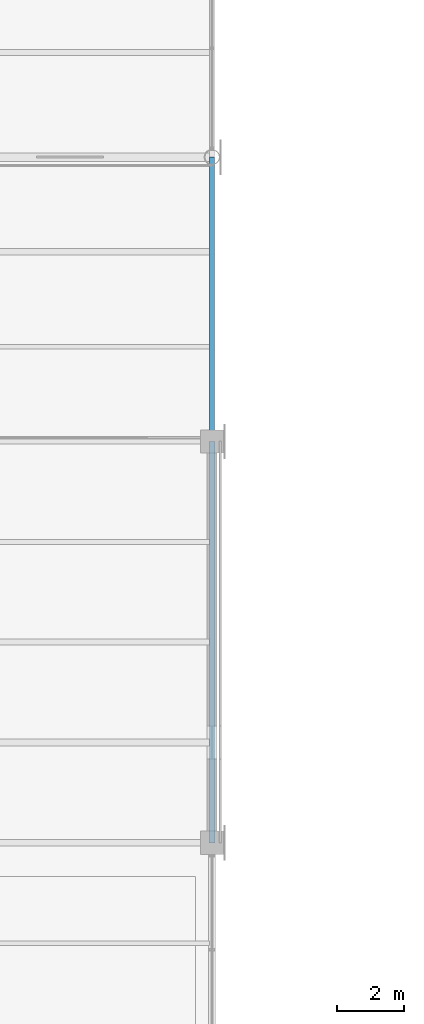
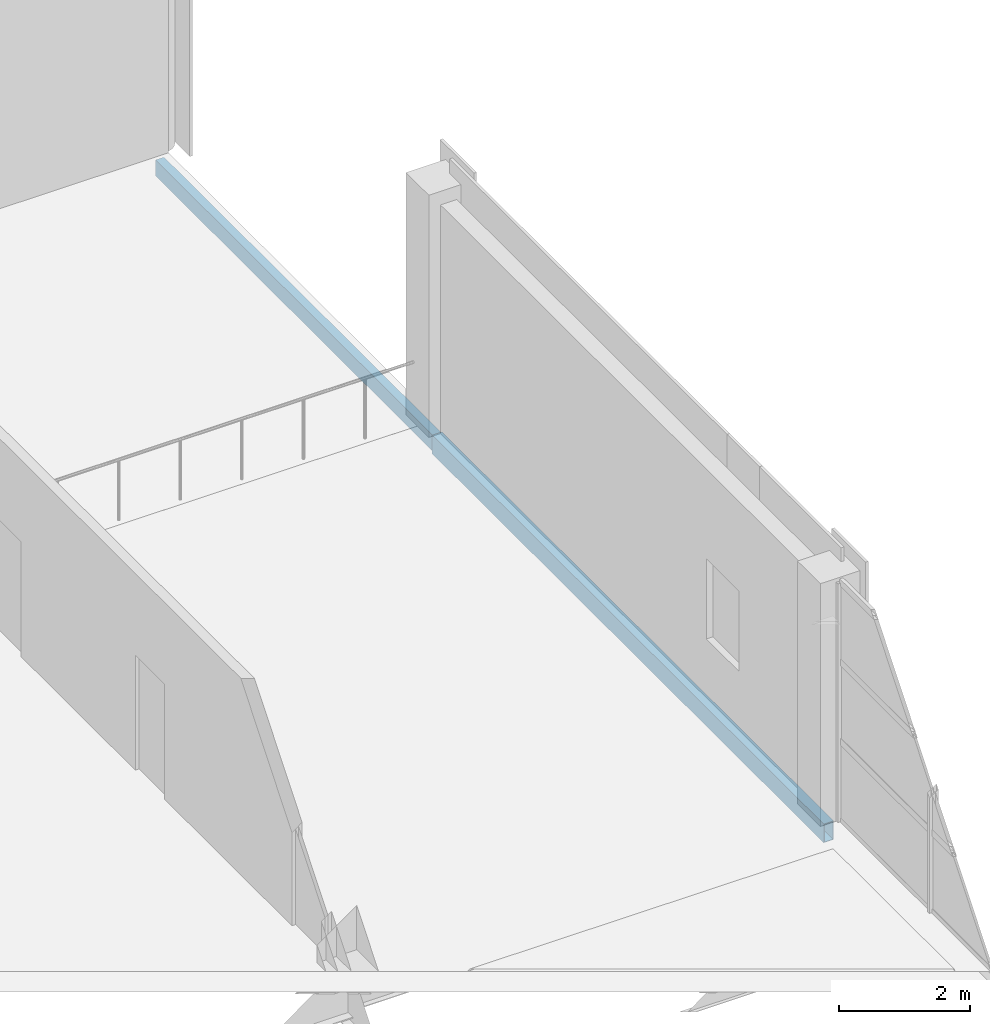
# One storey, part 37 of 101: 2 beams.
"""IFC4 building model written with IfcOpenShell, lengths in metres."""

from ifc_helpers import new_model, si_unit, direction, frame, origin, origin_2d, place, context, subcontext, project, spatial, hollow_rectangle, extrude, material, material_profile, profile_set, type_object, element, save


model = new_model("IFC4")

# Units and contexts
model_context = context("Model", 3, precision=1e-05, world=origin(), true_north=direction((0.0, 1.0)))
body_context = subcontext(model_context, "Body", "Model", "MODEL_VIEW")
ifc_project = project(units=[si_unit("LENGTHUNIT", "METRE"), si_unit("AREAUNIT", "SQUARE_METRE"), si_unit("VOLUMEUNIT", "CUBIC_METRE"), si_unit("PLANEANGLEUNIT", "RADIAN"), si_unit("MASSUNIT", "GRAM", prefix="KILO")], contexts=[model_context])

# Site, building, storey
site_placement = place(None, origin())
site = spatial("IfcSite", under=ifc_project, at=site_placement, CompositionType="ELEMENT")
building_placement = place(site_placement, origin())
building = spatial("IfcBuilding", under=site, at=building_placement, Name="Solvikara Media Centre", CompositionType="ELEMENT")
storey_placement = place(building_placement, frame((0.0, 0.0, 10.199951171875)))
storey = spatial("IfcBuildingStorey", under=building, at=storey_placement, Name="L02", CompositionType="ELEMENT", Elevation=10.199951171875)

# Beams
ifc_material = material(Name="Steel S355JR", Category="steel")
ifc_material_profile_1 = material_profile(ifc_material, hollow_rectangle(XDim=0.175048828125, YDim=0.35009765625, WallThickness=0.010009765625, at=origin_2d()), Name="RHS 350x175x10")
ifc_profile_set_1 = profile_set([ifc_material_profile_1], Name="Steel S355JR")
beam_type_1 = type_object("IfcBeamType", Name="BM-34", PredefinedType="SPANDREL", material=ifc_profile_set_1)
beam_1_placement = place(storey_placement, frame((34.0, 68.5, -0.43701171875), z_axis=(0.0, 1.0, 0.0), x_axis=(-1.0, 0.0, 0.0)))
element("IfcBeam", 1, at=beam_1_placement, inside=storey, type_object=beam_type_1, Name="B-L02-Y0952", PredefinedType="SPANDREL", context=body_context, shape_type="SweptSolid", body=[
    extrude(hollow_rectangle(XDim=0.175048828125, YDim=0.35009765625, WallThickness=0.010009765625, at=origin_2d()), origin(), (0.0, 0.0, 1.0), 12.0),
])
ifc_material_profile_2 = material_profile(ifc_material, hollow_rectangle(XDim=0.14990234375, YDim=0.300048828125, WallThickness=0.010009765625, at=origin_2d()), Name="RHS 300x150x10")
ifc_profile_set_2 = profile_set([ifc_material_profile_2], Name="Steel S355JR")
beam_type_2 = type_object("IfcBeamType", Name="BM-35", PredefinedType="BEAM", material=ifc_profile_set_2)
beam_2_placement = place(storey_placement, frame((34.0, 80.5, -0.421875), z_axis=(0.0, 1.0, 0.0), x_axis=(-1.0, 0.0, 0.0)))
element("IfcBeam", 2, at=beam_2_placement, inside=storey, type_object=beam_type_2, Name="B-L02-Y0953", PredefinedType="BEAM", context=body_context, shape_type="SweptSolid", body=[
    extrude(hollow_rectangle(XDim=0.14990234375, YDim=0.300048828125, WallThickness=0.010009765625, at=origin_2d()), origin(), (0.0, 0.0, 1.0), 8.5),
])

save(model, "model.ifc")
